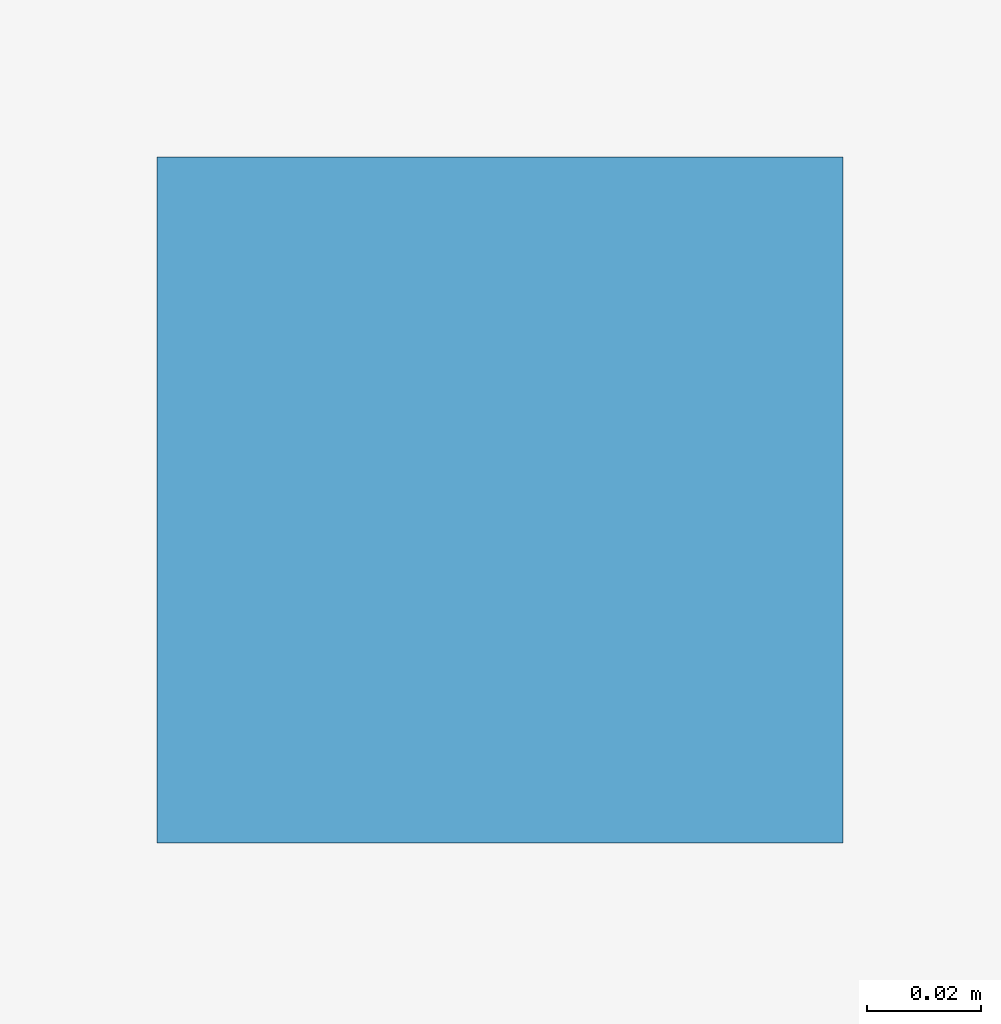
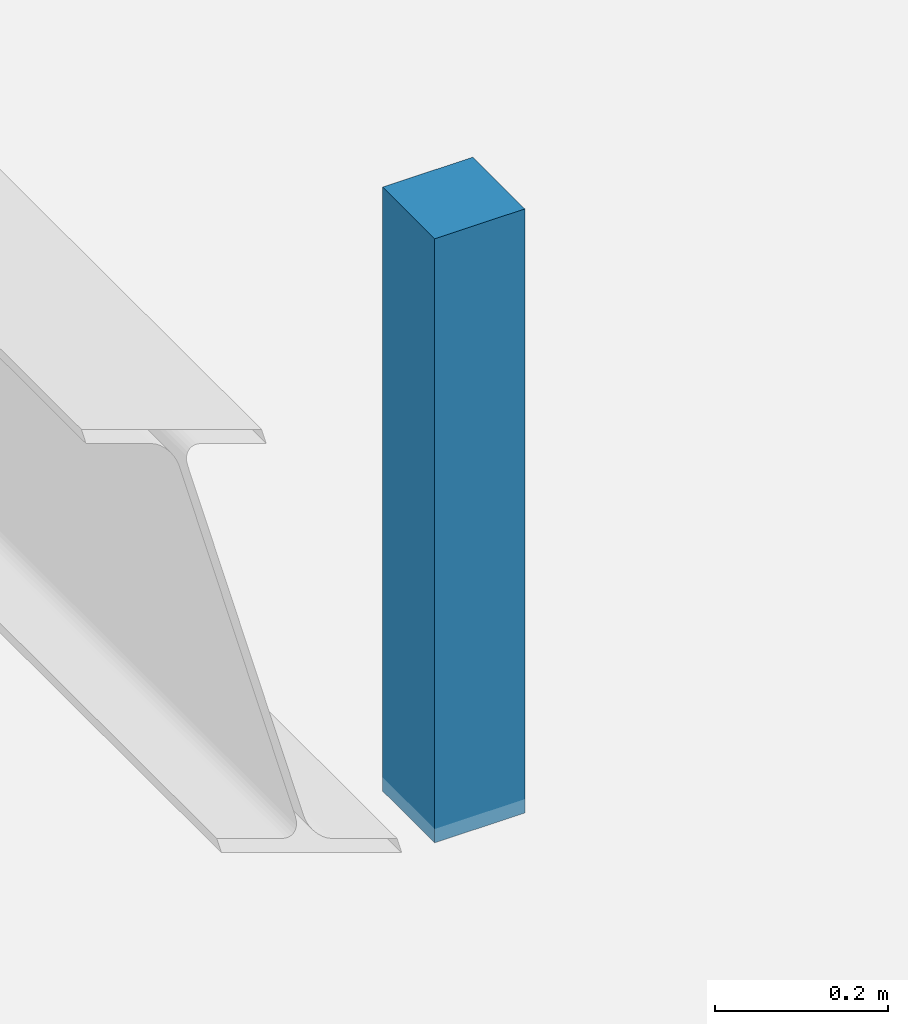
# One storey, part 69 of 73: 1 discrete accessory.
"""IFC4 building model written with IfcOpenShell, lengths in metres."""

from ifc_helpers import new_model, si_unit, derived_unit, direction, frame, origin, origin_2d, place, context, subcontext, project, spatial, rectangle, extrude, material, type_object, element, save


model = new_model("IFC4")

# Units and contexts
model_context = context("Model", 3, precision=1e-05, world=origin(), true_north=direction((0.0, 1.0)))
body_context = subcontext(model_context, "Body", "Model", "MODEL_VIEW")
ifc_project = project(units=[si_unit("LENGTHUNIT", "METRE"), si_unit("AREAUNIT", "SQUARE_METRE"), si_unit("VOLUMEUNIT", "CUBIC_METRE"), si_unit("PLANEANGLEUNIT", "RADIAN"), si_unit("MASSUNIT", "GRAM", prefix="KILO"), derived_unit("THERMALTRANSMITTANCEUNIT", [(si_unit("MASSUNIT", "GRAM", prefix="KILO"), 1), (si_unit("TIMEUNIT", "SECOND"), -3), (si_unit("THERMODYNAMICTEMPERATUREUNIT", "KELVIN"), -1)])], contexts=[model_context])

# Site, building, storey
site_placement = place(None, origin())
site = spatial("IfcSite", under=ifc_project, at=site_placement, CompositionType="ELEMENT")
building_placement = place(site_placement, origin())
building = spatial("IfcBuilding", under=site, at=building_placement, Name="Kharveza Railside Sports Centre", CompositionType="ELEMENT")
storey_placement = place(building_placement, frame((0.0, 0.0, 8.699951171875)))
storey = spatial("IfcBuildingStorey", under=building, at=storey_placement, Name="L02", CompositionType="ELEMENT", Elevation=8.699951171875)

# Discrete accessory
ifc_material = material(Name="Steel S275JR", Category="steel")
discrete_accessory_type = type_object("IfcDiscreteAccessoryType", Name="DA-BK01", PredefinedType="BRACKET", material=ifc_material)
discrete_accessory_placement = place(storey_placement, frame((162.89990234375, 34.199951171875, 3.169921875), z_axis=(0.0, 0.0, 1.0), x_axis=(1.0, 0.0, 0.0)))
element("IfcDiscreteAccessory", 1, at=discrete_accessory_placement, inside=storey, type_object=discrete_accessory_type, Name="BK-COV-CL-FIT2", PredefinedType="BRACKET", context=body_context, shape_type="SweptSolid", body=[
    extrude(rectangle(XDim=0.1201171875, YDim=0.1201171875, at=origin_2d()), origin(), (0.0, 0.0, 1.0), 0.85009765625),
])

save(model, "model.ifc")
